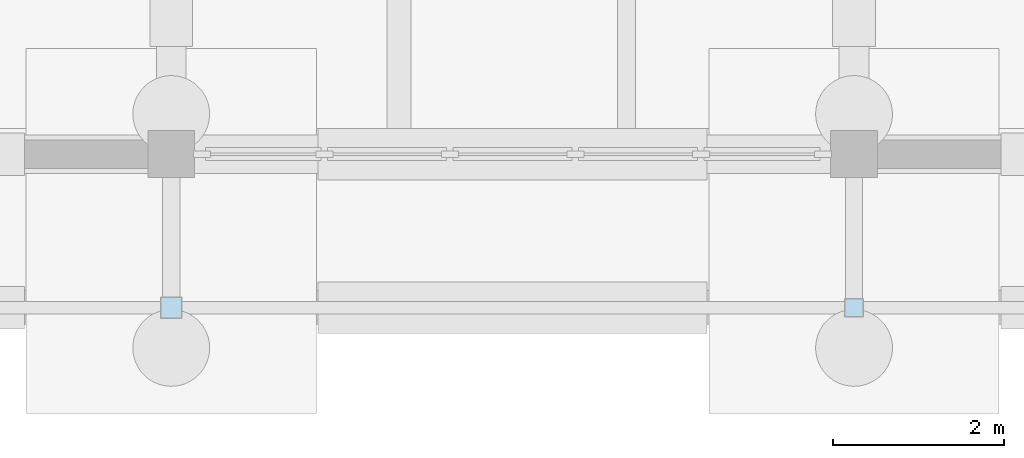
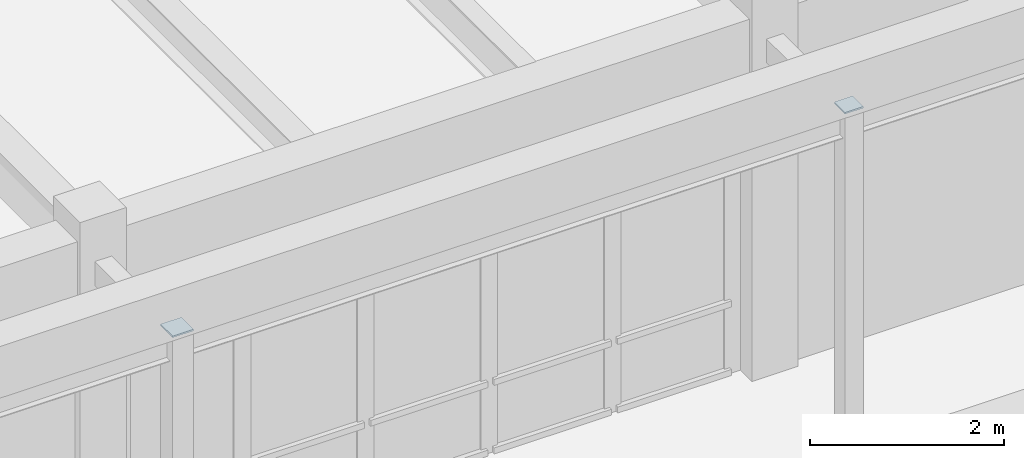
# One storey, part 31 of 64: 2 plates.
"""IFC4 building model written with IfcOpenShell, lengths in metres."""

import ifcopenshell
import ifcopenshell.guid

model = None  # the IFC model being written
_history = None  # IfcOwnerHistory: only IFC2X3 demands one
_inside = {}  # id of a spatial element -> (the spatial element, [elements in it])
_under = {}  # id of a project, library or spatial element -> (it, [spatial elements below it])
_declared = {}  # id of a project -> (the project, [libraries it declares])
_typed = {}  # id of a type object -> (the type object, [elements of that type])
_made_of = {}  # id of a material, layer set ... -> (it, [elements and type objects made of it])


def new_model(schema):
    """Start an empty IFC model of exactly this schema.

    Asked for "IFC4X3", IfcOpenShell would pick the latest addendum, in which some entities
    have other attributes; the version numbers below select the first issue.
    IFC2X3 requires an IfcOwnerHistory on every rooted entity: one is made here for all.
    """
    global model, _history
    if schema == "IFC4X3":
        model = ifcopenshell.file(schema_version=(4, 3, 0, 0))
    else:
        model = ifcopenshell.file(schema=schema)
    _inside.clear()
    _under.clear()
    _declared.clear()
    _typed.clear()
    _made_of.clear()
    _history = None
    if model.schema == "IFC2X3":
        org = make("IfcOrganization", Name="unknown")
        user = make(
            "IfcPersonAndOrganization",
            ThePerson=make("IfcPerson", FamilyName="unknown"),
            TheOrganization=org,
        )
        app = make(
            "IfcApplication",
            ApplicationDeveloper=org,
            Version="unknown",
            ApplicationFullName="unknown",
            ApplicationIdentifier="unknown",
        )
        _history = make(
            "IfcOwnerHistory",
            OwningUser=user,
            OwningApplication=app,
            ChangeAction="ADDED",
            CreationDate=0,
        )
    return model


def make(cls, **values):
    """One entity of the class cls with the attributes given. An attribute that is None is left unset."""
    return model.create_entity(
        cls, **{name: value for name, value in values.items() if value is not None}
    )


def rooted(cls, **values):
    """An entity with a GlobalId (a new one), such as an element, a storey or a relation."""
    return make(cls, GlobalId=ifcopenshell.guid.new(), OwnerHistory=_history, **values)


def si_unit(unit_type, name, prefix=None):
    """IfcSIUnit, for example si_unit("LENGTHUNIT", "METRE", prefix="MILLI")."""
    return make("IfcSIUnit", UnitType=unit_type, Prefix=prefix, Name=name)


def assignment(units):
    """IfcUnitAssignment: the units of a project."""
    return None if units is None else make("IfcUnitAssignment", Units=units)


def point(xyz):
    """IfcCartesianPoint."""
    return None if xyz is None else make("IfcCartesianPoint", Coordinates=xyz)


def direction(xyz):
    """IfcDirection."""
    return None if xyz is None else make("IfcDirection", DirectionRatios=xyz)


def frame(location, z_axis=None, x_axis=None):
    """IfcAxis2Placement3D, a coordinate frame: its origin and axes. An axis left out is left unset."""
    return make(
        "IfcAxis2Placement3D",
        Location=point(location),
        Axis=direction(z_axis),
        RefDirection=direction(x_axis),
    )


def frame_2d(location, x_axis=None):
    """IfcAxis2Placement2D, a coordinate frame in the plane: its origin and x axis."""
    return make(
        "IfcAxis2Placement2D", Location=point(location), RefDirection=direction(x_axis)
    )


def origin():
    """The frame at (0, 0, 0) with its axes left unset."""
    return frame((0.0, 0.0, 0.0))


def origin_2d():
    """The frame at (0, 0) in the plane with its x axis left unset."""
    return frame_2d((0.0, 0.0))


def place(relative_to, where):
    """IfcLocalPlacement: puts the frame where relative to a parent placement (None: the world)."""
    return make(
        "IfcLocalPlacement", PlacementRelTo=relative_to, RelativePlacement=where
    )


def context(
    kind, dimensions, precision=None, world=None, true_north=None, identifier=None
):
    """IfcGeometricRepresentationContext, for example the 3D "Model" context."""
    return make(
        "IfcGeometricRepresentationContext",
        ContextIdentifier=identifier,
        ContextType=kind,
        CoordinateSpaceDimension=dimensions,
        Precision=precision,
        WorldCoordinateSystem=world,
        TrueNorth=true_north,
    )


def subcontext(parent, identifier, kind, view, scale=None):
    """IfcGeometricRepresentationSubContext, for example "Body" below "Model"."""
    return make(
        "IfcGeometricRepresentationSubContext",
        ContextIdentifier=identifier,
        ContextType=kind,
        ParentContext=parent,
        TargetScale=scale,
        TargetView=view,
    )


def project(units=None, contexts=None):
    """IfcProject with its units and contexts."""
    return rooted(
        "IfcProject",
        Name="project",
        RepresentationContexts=contexts,
        UnitsInContext=assignment(units),
    )


def spatial(cls, under=None, at=None, **own):
    """A site, building, storey or space (cls), placed at a placement, below another one or the project."""
    s = rooted(cls, ObjectPlacement=at, **own)
    if under is not None:
        _under.setdefault(under.id(), (under, []))[1].append(s)
    return s


def profile(cls, at=None, kind="AREA", **sizes):
    """A parametric profile (cls). Its sizes go by their IFC names, for example OverallWidth=200.0."""
    return make(cls, ProfileType=kind, Position=at, **sizes)


def rectangle(**sizes):
    """IfcRectangleProfileDef."""
    return profile("IfcRectangleProfileDef", **sizes)


def extrude(swept, where, along, depth):
    """IfcExtrudedAreaSolid: the profile swept, set in the frame where, extruded along a direction by depth."""
    return make(
        "IfcExtrudedAreaSolid",
        SweptArea=swept,
        Position=where,
        ExtrudedDirection=direction(along),
        Depth=depth,
    )


def shape(context_of_items, identifier, shape_type, items):
    """IfcShapeRepresentation: the items that make up one representation, for example the "Body"."""
    return make(
        "IfcShapeRepresentation",
        ContextOfItems=context_of_items,
        RepresentationIdentifier=identifier,
        RepresentationType=shape_type,
        Items=items,
    )


def material(Name=None, Category=None):
    """IfcMaterial."""
    return make("IfcMaterial", Name=Name, Category=Category)


def layer(
    of_material, thickness, ventilated=None, Name=None, Category=None, Priority=None
):
    """IfcMaterialLayer: one layer of a wall or slab, of a material (None: an air gap)."""
    return make(
        "IfcMaterialLayer",
        Material=of_material,
        LayerThickness=thickness,
        IsVentilated=ventilated,
        Name=Name,
        Category=Category,
        Priority=Priority,
    )


def layer_set(layers, Name=None):
    """IfcMaterialLayerSet."""
    return make("IfcMaterialLayerSet", MaterialLayers=layers, LayerSetName=Name)


def made_of(thing, what):
    """Note that an element or type object is made of a material, layer set ...; save() writes the relation."""
    if what is not None:
        _made_of.setdefault(what.id(), (what, []))[1].append(thing)
    return thing


def type_object(cls, material=None, **own):
    """A type object (cls), such as IfcWallType, which elements share."""
    return made_of(rooted(cls, **own), material)


def element(
    cls,
    number,
    at=None,
    inside=None,
    cuts=None,
    type_object=None,
    material=None,
    context=None,
    identifier="Body",
    shape_type=None,
    held_by="IfcProductDefinitionShape",
    body=None,
    shapes=None,
    **own,
):
    """One element of the class cls, such as IfcWall. Its Tag is "e" and its number.

    at: its placement. inside: the storey or other place that contains it. cuts: it is an
    opening in that element (IfcRelVoidsElement). A single representation is given by context,
    identifier, shape_type and body (its items); several are given by shapes. held_by: the class
    of the entity that holds the representations. save() writes the other relations.
    """
    e = rooted(cls, Tag="e%d" % number, ObjectPlacement=at, **own)
    if body is not None:
        shapes = [shape(context, identifier, shape_type, body)]
    if shapes is not None:
        e.Representation = make(held_by, Representations=shapes)
    if inside is not None:
        _inside.setdefault(inside.id(), (inside, []))[1].append(e)
    if cuts is not None:
        rooted(
            "IfcRelVoidsElement", RelatingBuildingElement=cuts, RelatedOpeningElement=e
        )
    if type_object is not None:
        _typed.setdefault(type_object.id(), (type_object, []))[1].append(e)
    return made_of(e, material)


def aggregate(whole, parts):
    """IfcRelAggregates: a whole, such as a stair, and the parts it consists of."""
    return rooted("IfcRelAggregates", RelatingObject=whole, RelatedObjects=parts)


def save(model, path):
    """Write the relations noted so far, then the file.

    IfcRelAggregates (storeys below a building ...), IfcRelContainedInSpatialStructure (elements
    in a storey), IfcRelDefinesByType, IfcRelAssociatesMaterial and IfcRelDeclares: one each for
    every whole, place, type object, material and project.
    """
    for whole, parts in _under.values():
        aggregate(whole, parts)
    for where, things in _inside.values():
        rooted(
            "IfcRelContainedInSpatialStructure",
            RelatedElements=things,
            RelatingStructure=where,
        )
    for kind, things in _typed.values():
        rooted("IfcRelDefinesByType", RelatedObjects=things, RelatingType=kind)
    for what, things in _made_of.values():
        rooted("IfcRelAssociatesMaterial", RelatedObjects=things, RelatingMaterial=what)
    for by, libraries in _declared.values():
        rooted("IfcRelDeclares", RelatingContext=by, RelatedDefinitions=libraries)
    model.write(path)


model = new_model("IFC4")

# Units and contexts
model_context = context("Model", 3, precision=1e-05, world=origin(), true_north=direction((0.0, 1.0)))
body_context = subcontext(model_context, "Body", "Model", "MODEL_VIEW")
ifc_project = project(units=[si_unit("LENGTHUNIT", "METRE"), si_unit("AREAUNIT", "SQUARE_METRE"), si_unit("VOLUMEUNIT", "CUBIC_METRE"), si_unit("PLANEANGLEUNIT", "RADIAN"), si_unit("MASSUNIT", "GRAM", prefix="KILO")], contexts=[model_context])

# Site, building, storey
site_placement = place(None, origin())
site = spatial("IfcSite", under=ifc_project, at=site_placement, CompositionType="ELEMENT")
building_placement = place(site_placement, origin())
building = spatial("IfcBuilding", under=site, at=building_placement, Name="Tlaxcora Railside Police Headquarters", CompositionType="ELEMENT")
storey_placement = place(building_placement, origin())
storey = spatial("IfcBuildingStorey", under=building, at=storey_placement, Name="L00", CompositionType="ELEMENT", Elevation=0.0)

# Plates
ifc_material = material(Name="Steel ASTM A992 Grade 50", Category="steel")
ifc_layer = layer(ifc_material, 0.02490234375, Name="Steel ASTM A992 Grade 50")
ifc_layer_set = layer_set([ifc_layer], Name="Steel ASTM A992 Grade 50")
plate_type = type_object("IfcPlateType", Name="Structural Gusset or Cap Plate GP-22", PredefinedType="USERDEFINED", material=ifc_layer_set)
plate_1_placement = place(storey_placement, frame((21.199951171875, 10.199951171875, 4.300048828125), z_axis=(0.0, 0.0, 1.0), x_axis=(1.0, 0.0, 0.0)))
element("IfcPlate", 1, at=plate_1_placement, inside=storey, type_object=plate_type, Name="Forecourt pilaster seal cap plate 3", ObjectType="GUSSET PLATE", PredefinedType="USERDEFINED", context=body_context, shape_type="SweptSolid", body=[
    extrude(rectangle(XDim=0.25, YDim=0.25, at=origin_2d()), origin(), (0.0, 0.0, 1.0), 0.02001953125),
])
plate_2_placement = place(storey_placement, frame((29.199951171875, 10.199951171875, 4.300048828125), z_axis=(0.0, 0.0, 1.0), x_axis=(1.0, 0.0, 0.0)))
element("IfcPlate", 2, at=plate_2_placement, inside=storey, type_object=plate_type, Name="Forecourt pilaster seal cap plate 4", ObjectType="GUSSET PLATE", PredefinedType="USERDEFINED", context=body_context, shape_type="SweptSolid", body=[
    extrude(rectangle(XDim=0.219970703125, YDim=0.219970703125, at=origin_2d()), origin(), (0.0, 0.0, 1.0), 0.02001953125),
])

save(model, "model.ifc")
